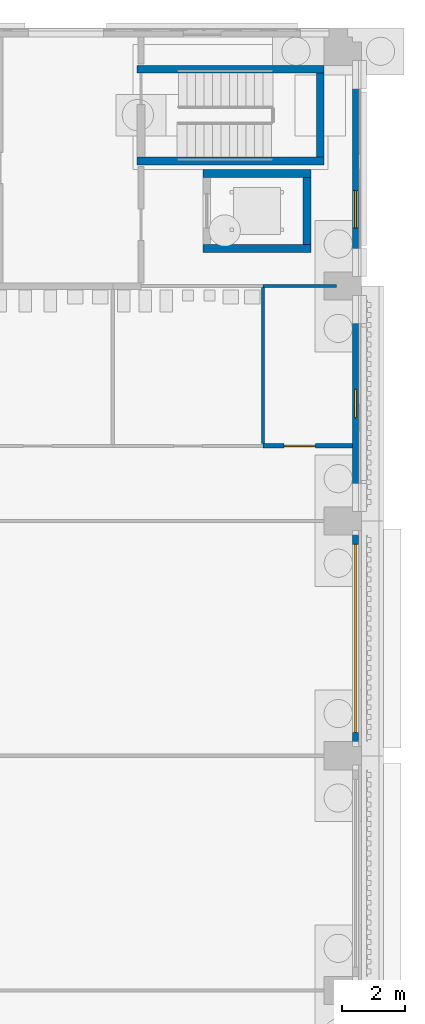
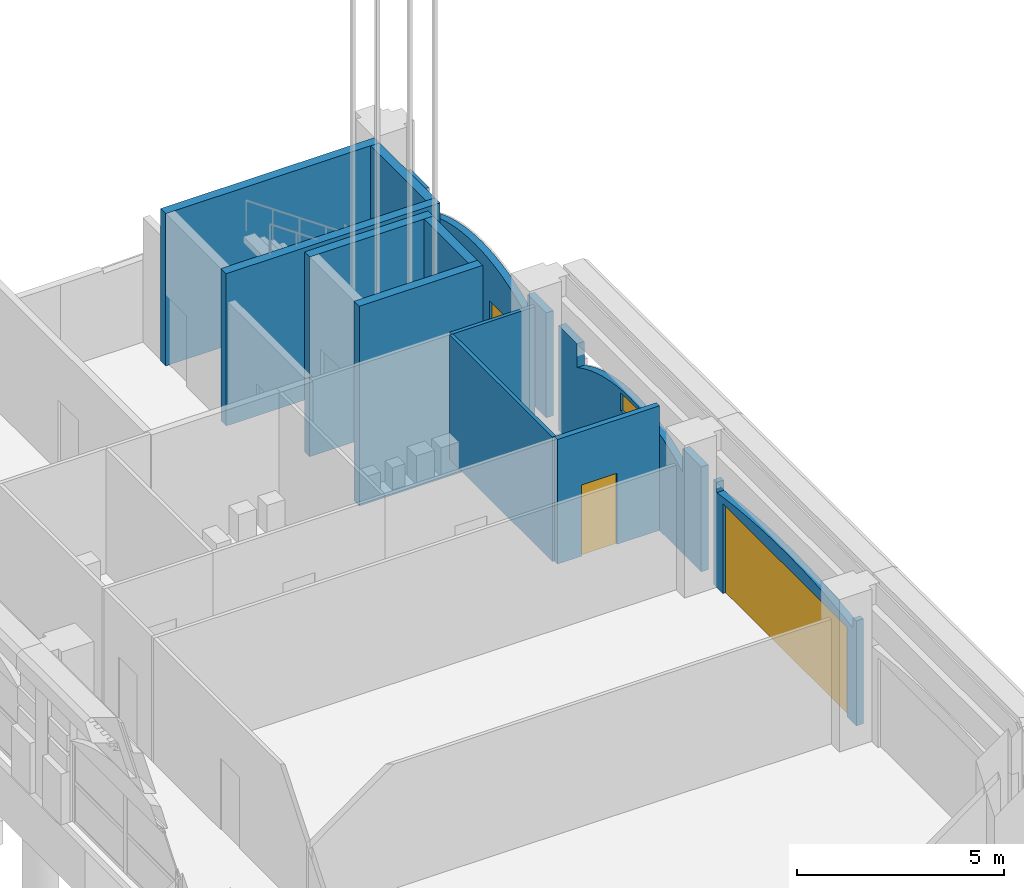
# One storey, part 45 of 99: 12 walls, 2 doors, 2 windows, 4 openings.
"""IFC4 building model written with IfcOpenShell, lengths in metres."""

from ifc_helpers import new_model, si_unit, direction, frame, frame_2d, origin, place, context, subcontext, project, spatial, polyline, rectangle, outline, extrude, material, layer, layer_set, type_object, element, fill, save


model = new_model("IFC4")

# Units and contexts
model_context = context("Model", 3, precision=1e-05, world=origin(), true_north=direction((0.0, 1.0)))
body_context = subcontext(model_context, "Body", "Model", "MODEL_VIEW")
ifc_project = project(units=[si_unit("LENGTHUNIT", "METRE"), si_unit("AREAUNIT", "SQUARE_METRE"), si_unit("VOLUMEUNIT", "CUBIC_METRE"), si_unit("PLANEANGLEUNIT", "RADIAN"), si_unit("MASSUNIT", "GRAM", prefix="KILO")], contexts=[model_context])

# Site, building, storey
site_placement = place(None, origin())
site = spatial("IfcSite", under=ifc_project, at=site_placement, CompositionType="ELEMENT")
building_placement = place(site_placement, origin())
building = spatial("IfcBuilding", under=site, at=building_placement, Name="Cour d'Honneur Mobility Palace", CompositionType="ELEMENT")
storey_placement = place(building_placement, origin())
storey = spatial("IfcBuildingStorey", under=building, at=storey_placement, Name="L00", CompositionType="ELEMENT", Elevation=0.0)

# Wall, opening, door
ifc_material_1 = material(Name="Concrete C40", Category="concrete")
ifc_layer_1 = layer(ifc_material_1, 0.199951171875)
ifc_layer_set_1 = layer_set([ifc_layer_1], Name="Concrete C40")
wall_type_1 = type_object("IfcWallType", Name="Arch infill panel", PredefinedType="SOLIDWALL", material=ifc_layer_set_1)
wall_1_placement = place(storey_placement, frame((162.85009765625, 92.699951171875, 0.0), z_axis=(0.0, 0.0, 1.0), x_axis=(0.0, 1.0, 0.0)))
wall_1 = element("IfcWall", 1, at=wall_1_placement, inside=storey, type_object=wall_type_1, Name="Arch infill panel IP-46", PredefinedType="SOLIDWALL", context=body_context, shape_type="SweptSolid", body=[
    extrude(outline(polyline([(0.0, 0.0), (6.900146484375, 0.0), (6.89990234375, 3.10009765625), (6.751953125, 3.10009765625), (6.75, 2.800048828125), (6.33740234375, 2.85888671875), (5.925048828125, 2.90966796875), (5.512451171875, 2.95263671875), (5.10009765625, 2.98779296875), (4.6875, 3.01513671875), (4.27490234375, 3.034423828125), (3.862548828125, 3.046142578125), (3.449951171875, 3.050048828125), (3.03759765625, 3.046142578125), (2.625, 3.034423828125), (2.21240234375, 3.01513671875), (1.800048828125, 2.98779296875), (1.387451171875, 2.95263671875), (0.97509765625, 2.90966796875), (0.5625, 2.85888671875), (0.14990234375, 2.800048828125), (0.14794921875, 3.10009765625), (0.0, 3.10009765625), (0.0, 0.0)])), frame((0.0, 0.10009765625, 0.0), z_axis=(0.0, -1.0, 0.0), x_axis=(1.0, 0.0, 0.0)), (0.0, 0.0, 1.0), 0.199951171875),
])
opening_1_placement = place(wall_1_placement, frame((0.449951171875, 0.0, 0.0)))
opening_1 = element("IfcOpeningElement", 2, at=opening_1_placement, cuts=wall_1, Name="Opening G1-5", PredefinedType="OPENING", context=body_context, shape_type="SweptSolid", body=[
    extrude(rectangle(XDim=6.0, YDim=2.64990234375, at=frame_2d((3.0, 1.324951171875))), frame((0.0, 0.10986328125, 0.0), z_axis=(0.0, -1.0, 0.0), x_axis=(1.0, 0.0, 0.0)), (0.0, 0.0, 1.0), 0.219970703125),
])
ifc_material_2 = material(Name="Galvanised steel", Category="steel")
door_type_1 = type_object("IfcDoorType", Name="Vehicle gate 6000", OperationType="ROLLINGUP", PredefinedType="GATE", material=ifc_material_2)
door_1_placement = place(opening_1_placement, frame((6.0, 0.0, 0.0), z_axis=(0.0, 0.0, 1.0), x_axis=(-1.0, 0.0, 0.0)))
door_1 = element("IfcDoor", 3, at=door_1_placement, inside=storey, type_object=door_type_1, Name="Vehicle gate 6000 G1-5", OperationType="SINGLE_SWING_LEFT", OverallHeight=2.64990234375, OverallWidth=6.0, PredefinedType="GATE", context=body_context, shape_type="SweptSolid", body=[
    extrude(rectangle(XDim=6.0, YDim=2.64990234375, at=frame_2d((3.0, 1.324951171875))), frame((0.0, 0.02490234375, 0.0), z_axis=(0.0, -1.0, 0.0), x_axis=(1.0, 0.0, 0.0)), (0.0, 0.0, 1.0), 0.050048828125),
])
fill(opening_1, door_1)

# Wall, opening, window
wall_2_placement = place(storey_placement, frame((162.85009765625, 100.199951171875, 0.0), z_axis=(0.0, 0.0, 1.0), x_axis=(0.0, 1.0, 0.0)))
wall_2 = element("IfcWall", 4, at=wall_2_placement, inside=storey, type_object=wall_type_1, Name="Arch infill panel IP-47", PredefinedType="SOLIDWALL", context=body_context, shape_type="SweptSolid", body=[
    extrude(outline(polyline([(0.0, 0.0), (6.900146484375, 0.0), (6.89990234375, 3.10009765625), (6.001953125, 3.10009765625), (6.0, 2.39990234375), (5.68115234375, 2.560302734375), (5.362548828125, 2.69482421875), (5.043701171875, 2.805908203125), (4.72509765625, 2.895263671875), (4.40625, 2.96337890625), (4.08740234375, 3.01171875), (3.768798828125, 3.04052734375), (3.449951171875, 3.050048828125), (3.13134765625, 3.04052734375), (2.8125, 3.01171875), (2.49365234375, 2.96337890625), (2.175048828125, 2.895263671875), (1.856201171875, 2.805908203125), (1.53759765625, 2.69482421875), (1.21875, 2.560302734375), (0.89990234375, 2.39990234375), (0.89794921875, 3.10009765625), (0.0, 3.10009765625), (0.0, 0.0)])), frame((0.0, 0.10009765625, 0.0), z_axis=(0.0, -1.0, 0.0), x_axis=(1.0, 0.0, 0.0)), (0.0, 0.0, 1.0), 0.199951171875),
])
opening_2_placement = place(wall_2_placement, frame((3.0, 0.0, 2.39990234375)))
opening_2 = element("IfcOpeningElement", 5, at=opening_2_placement, cuts=wall_2, Name="Opening WH-34", PredefinedType="OPENING", context=body_context, shape_type="SweptSolid", body=[
    extrude(rectangle(XDim=0.89990234375, YDim=0.531005859375, at=frame_2d((0.449951171875, 0.265625))), frame((0.0, 0.10986328125, 0.0), z_axis=(0.0, -1.0, 0.0), x_axis=(1.0, 0.0, 0.0)), (0.0, 0.0, 1.0), 0.219970703125),
])
ifc_material_3 = material(Name="Aluminium frame and glass", Category="aluminium")
window_type_1 = type_object("IfcWindowType", Name="High-level window 531", PartitioningType="SINGLE_PANEL", PredefinedType="WINDOW", material=ifc_material_3)
window_1_placement = place(opening_2_placement, origin())
window_1 = element("IfcWindow", 6, at=window_1_placement, inside=storey, type_object=window_type_1, Name="High-level window 531 WH-34", OverallHeight=0.531005859375, OverallWidth=0.89990234375, PartitioningType="SINGLE_PANEL", PredefinedType="WINDOW", context=body_context, shape_type="SweptSolid", body=[
    extrude(rectangle(XDim=0.89990234375, YDim=0.531005859375, at=frame_2d((0.449951171875, 0.265625))), frame((0.0, 0.030029296875, 0.0), z_axis=(0.0, -1.0, 0.0), x_axis=(1.0, 0.0, 0.0)), (0.0, 0.0, 1.0), 0.06005859375),
])
fill(opening_2, window_1)

wall_3_placement = place(storey_placement, frame((162.85009765625, 107.699951171875, 0.0), z_axis=(0.0, 0.0, 1.0), x_axis=(0.0, 1.0, 0.0)))
wall_3 = element("IfcWall", 7, at=wall_3_placement, inside=storey, type_object=wall_type_1, Name="Arch infill panel IP-48", PredefinedType="SOLIDWALL", context=body_context, shape_type="SweptSolid", body=[
    extrude(outline(polyline([(0.0, 0.0), (6.900146484375, 0.0), (6.89990234375, 3.10009765625), (6.001953125, 3.10009765625), (6.0, 2.39990234375), (5.68115234375, 2.560302734375), (5.362548828125, 2.69482421875), (5.043701171875, 2.805908203125), (4.72509765625, 2.895263671875), (4.40625, 2.96337890625), (4.08740234375, 3.01171875), (3.768798828125, 3.04052734375), (3.449951171875, 3.050048828125), (3.13134765625, 3.04052734375), (2.8125, 3.01171875), (2.49365234375, 2.96337890625), (2.175048828125, 2.895263671875), (1.856201171875, 2.805908203125), (1.53759765625, 2.69482421875), (1.21875, 2.560302734375), (0.89990234375, 2.39990234375), (0.89794921875, 3.10009765625), (0.0, 3.10009765625), (0.0, 0.0)])), frame((0.0, 0.10009765625, 0.0), z_axis=(0.0, -1.0, 0.0), x_axis=(1.0, 0.0, 0.0)), (0.0, 0.0, 1.0), 0.199951171875),
])
opening_3_placement = place(wall_3_placement, frame((1.550048828125, 0.0, 0.60009765625)))
opening_3 = element("IfcOpeningElement", 8, at=opening_3_placement, cuts=wall_3, Name="Opening WP-4", PredefinedType="OPENING", context=body_context, shape_type="SweptSolid", body=[
    extrude(rectangle(XDim=1.199951171875, YDim=1.199951171875, at=frame_2d((0.60009765625, 0.60009765625))), frame((0.0, 0.10986328125, 0.0), z_axis=(0.0, -1.0, 0.0), x_axis=(1.0, 0.0, 0.0)), (0.0, 0.0, 1.0), 0.219970703125),
])
ifc_material_4 = material(Name="Aluminium frame and glass", Category="aluminium")
window_type_2 = type_object("IfcWindowType", Name="Pavilion window W-PV", PartitioningType="SINGLE_PANEL", PredefinedType="WINDOW", material=ifc_material_4)
window_2_placement = place(opening_3_placement, origin())
window_2 = element("IfcWindow", 9, at=window_2_placement, inside=storey, type_object=window_type_2, Name="Pavilion window W-PV WP-4", OverallHeight=1.199951171875, OverallWidth=1.199951171875, PartitioningType="SINGLE_PANEL", PredefinedType="WINDOW", context=body_context, shape_type="SweptSolid", body=[
    extrude(rectangle(XDim=1.199951171875, YDim=1.199951171875, at=frame_2d((0.60009765625, 0.60009765625))), frame((0.0, 0.030029296875, 0.0), z_axis=(0.0, -1.0, 0.0), x_axis=(1.0, 0.0, 0.0)), (0.0, 0.0, 1.0), 0.06005859375),
])
fill(opening_3, window_2)

# Walls
ifc_material_5 = material(Name="Concrete C50", Category="concrete")
ifc_layer_2 = layer(ifc_material_5, 0.25)
ifc_layer_set_2 = layer_set([ifc_layer_2], Name="Concrete C50")
wall_type_2 = type_object("IfcWallType", Name="Lift shaft wall 250", PredefinedType="SHEAR", material=ifc_layer_set_2)
for number, where, z_axis, x_axis, name in (
    (10, (157.97509765625, 108.60009765625, -1.39990234375), (0.0, 0.0, 1.0), (1.0, 0.0, 0.0), "Lift shaft wall WL-NE1 L00"),
    (11, (157.97509765625, 111.0, -1.39990234375), (0.0, 0.0, 1.0), (1.0, 0.0, 0.0), "Lift shaft wall WL-NE2 L00"),
):
    element("IfcWall", number, at=place(storey_placement, frame(where, z_axis=z_axis, x_axis=x_axis)), inside=storey, type_object=wall_type_2, Name=name, PredefinedType="SHEAR", context=body_context, shape_type="SweptSolid", body=[
        extrude(rectangle(XDim=3.449951171875, YDim=0.25, at=frame_2d((1.72509765625, 0.0))), origin(), (0.0, 0.0, 1.0), 5.89990234375),
    ])
wall_4_placement = place(storey_placement, frame((161.300048828125, 108.72509765625, -1.39990234375), z_axis=(0.0, 0.0, 1.0), x_axis=(0.0, 1.0, 0.0)))
element("IfcWall", 12, at=wall_4_placement, inside=storey, type_object=wall_type_2, Name="Lift shaft wall WL-NE7 L00", PredefinedType="SHEAR", context=body_context, shape_type="SweptSolid", body=[
    extrude(rectangle(XDim=2.14990234375, YDim=0.25, at=frame_2d((1.074951171875, 0.0))), origin(), (0.0, 0.0, 1.0), 5.89990234375),
])
ifc_material_6 = material(Name="Gypsum plasterboard")
ifc_layer_3 = layer(ifc_material_6, 0.10009765625)
ifc_layer_set_3 = layer_set([ifc_layer_3], Name="Gypsum plasterboard")
wall_type_3 = type_object("IfcWallType", Name="Partition 100", PredefinedType="PARTITIONING", material=ifc_layer_set_3)
wall_5_placement = place(storey_placement, frame((159.89990234375, 107.35009765625, 0.0), z_axis=(0.0, 0.0, 1.0), x_axis=(0.0, -1.0, 0.0)))
element("IfcWall", 13, at=wall_5_placement, inside=storey, type_object=wall_type_3, Name="Partition 140", PredefinedType="PARTITIONING", context=body_context, shape_type="SweptSolid", body=[
    extrude(rectangle(XDim=4.97509765625, YDim=0.10009765625, at=frame_2d((2.487548828125, 0.0))), origin(), (0.0, 0.0, 1.0), 3.679931640625),
])
wall_6_placement = place(storey_placement, frame((162.239990234375, 107.39990234375, 0.0), z_axis=(0.0, 0.0, 1.0), x_axis=(-1.0, 0.0, 0.0)))
element("IfcWall", 14, at=wall_6_placement, inside=storey, type_object=wall_type_3, Name="Partition 142", PredefinedType="PARTITIONING", context=body_context, shape_type="SweptSolid", body=[
    extrude(rectangle(XDim=2.340087890625, YDim=0.10009765625, at=frame_2d((1.169921875, 0.0))), origin(), (0.0, 0.0, 1.0), 3.679931640625),
])

# Wall, opening, door
ifc_material_7 = material(Name="Gypsum plasterboard")
ifc_layer_4 = layer(ifc_material_7, 0.14990234375)
ifc_layer_set_4 = layer_set([ifc_layer_4], Name="Gypsum plasterboard")
wall_type_4 = type_object("IfcWallType", Name="Partition 150 rated EI 60", PredefinedType="PARTITIONING", material=ifc_layer_set_4)
wall_7_placement = place(storey_placement, frame((162.75, 102.300048828125, 0.0), z_axis=(0.0, 0.0, 1.0), x_axis=(-1.0, 0.0, 0.0)))
wall_7 = element("IfcWall", 15, at=wall_7_placement, inside=storey, type_object=wall_type_4, Name="Partition 124", PredefinedType="PARTITIONING", context=body_context, shape_type="SweptSolid", body=[
    extrude(rectangle(XDim=2.85009765625, YDim=0.14990234375, at=frame_2d((1.425048828125, 0.0))), origin(), (0.0, 0.0, 1.0), 3.679931640625),
])
opening_4_placement = place(wall_7_placement, frame((1.179931640625, 0.0, 0.0)))
opening_4 = element("IfcOpeningElement", 16, at=opening_4_placement, cuts=wall_7, Name="Opening D0044", PredefinedType="OPENING", context=body_context, shape_type="SweptSolid", body=[
    extrude(rectangle(XDim=1.0, YDim=2.10009765625, at=frame_2d((0.5, 1.050048828125))), frame((0.0, 0.0849609375, 0.0), z_axis=(0.0, -1.0, 0.0), x_axis=(1.0, 0.0, 0.0)), (0.0, 0.0, 1.0), 0.169921875),
])
ifc_material_8 = material(Name="Galvanised steel", Category="steel")
door_type_2 = type_object("IfcDoorType", Name="Fire door FD60 1000 x 2100", OperationType="SINGLE_SWING_LEFT", PredefinedType="DOOR", material=ifc_material_8)
door_2_placement = place(opening_4_placement, origin())
door_2 = element("IfcDoor", 17, at=door_2_placement, inside=storey, type_object=door_type_2, Name="Door Cleaner's Store East", OperationType="SINGLE_SWING_RIGHT", OverallHeight=2.10009765625, OverallWidth=1.0, PredefinedType="DOOR", context=body_context, shape_type="SweptSolid", body=[
    extrude(rectangle(XDim=1.0, YDim=2.10009765625, at=frame_2d((0.5, 1.050048828125))), frame((0.0, 0.02490234375, 0.0), z_axis=(0.0, -1.0, 0.0), x_axis=(1.0, 0.0, 0.0)), (0.0, 0.0, 1.0), 0.050048828125),
])
fill(opening_4, door_2)

# Walls
ifc_material_9 = material(Name="Concrete C50", Category="concrete")
ifc_layer_5 = layer(ifc_material_9, 0.25)
ifc_layer_set_5 = layer_set([ifc_layer_5], Name="Concrete C50")
wall_type_5 = type_object("IfcWallType", Name="Stair wall 250", PredefinedType="SHEAR", material=ifc_layer_set_5)
for number, where, z_axis, x_axis, name in (
    (18, (155.875, 111.39990234375, 0.0), (0.0, 0.0, 1.0), (1.0, 0.0, 0.0), "Stair wall WS-NE3 L00"),
    (19, (155.875, 114.324951171875, 0.0), (0.0, 0.0, 1.0), (1.0, 0.0, 0.0), "Stair wall WS-NE4 L00"),
):
    element("IfcWall", number, at=place(storey_placement, frame(where, z_axis=z_axis, x_axis=x_axis)), inside=storey, type_object=wall_type_5, Name=name, PredefinedType="SHEAR", context=body_context, shape_type="SweptSolid", body=[
        extrude(rectangle(XDim=5.97509765625, YDim=0.25, at=frame_2d((2.987548828125, 0.0))), origin(), (0.0, 0.0, 1.0), 4.5),
    ])
wall_8_placement = place(storey_placement, frame((161.72509765625, 111.52490234375, 0.0), z_axis=(0.0, 0.0, 1.0), x_axis=(0.0, 1.0, 0.0)))
element("IfcWall", 20, at=wall_8_placement, inside=storey, type_object=wall_type_5, Name="Stair wall WS-NE8 L00", PredefinedType="SHEAR", context=body_context, shape_type="SweptSolid", body=[
    extrude(rectangle(XDim=2.675048828125, YDim=0.25, at=frame_2d((1.33740234375, 0.0))), origin(), (0.0, 0.0, 1.0), 4.5),
])

save(model, "model.ifc")
